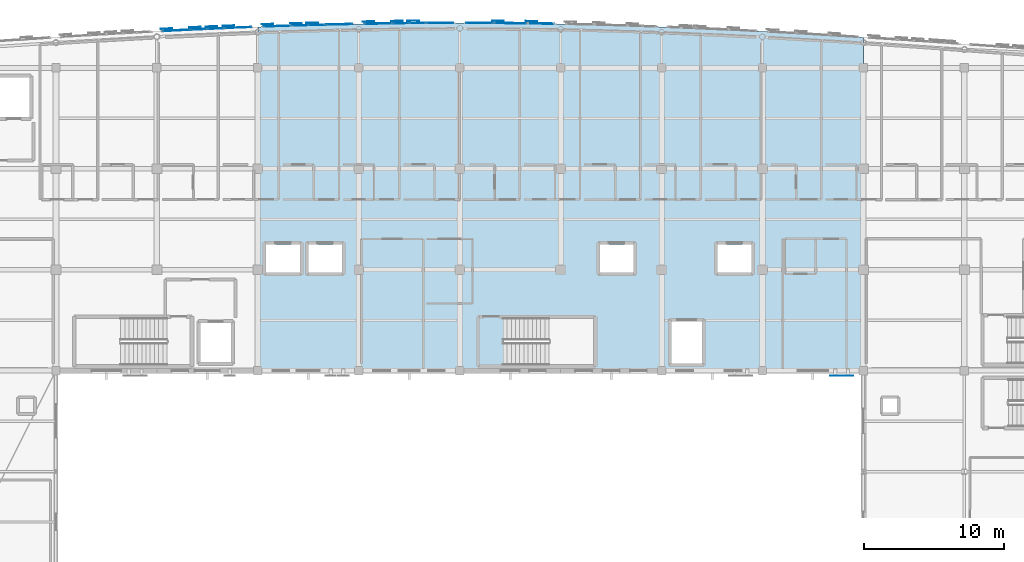
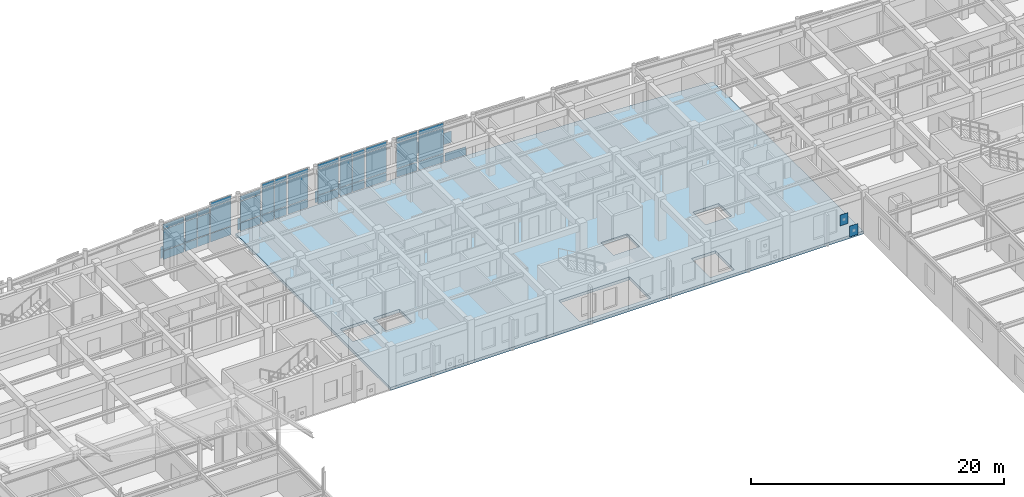
# One storey, part 73 of 113: 57 plates, 1 slab, 12 elements without a shape of their own.
"""IFC4 building model written with IfcOpenShell, lengths in metres."""

from ifc_helpers import new_model, si_unit, direction, frame, origin, origin_2d, place, context, subcontext, project, spatial, polyline, rectangle, outline, extrude, material, layer, layer_set, type_object, element, aggregate, save


model = new_model("IFC4")

# Units and contexts
model_context = context("Model", 3, precision=1e-05, world=origin(), true_north=direction((0.0, 1.0)))
body_context = subcontext(model_context, "Body", "Model", "MODEL_VIEW")
ifc_project = project(units=[si_unit("LENGTHUNIT", "METRE"), si_unit("AREAUNIT", "SQUARE_METRE"), si_unit("VOLUMEUNIT", "CUBIC_METRE"), si_unit("PLANEANGLEUNIT", "RADIAN"), si_unit("MASSUNIT", "GRAM", prefix="KILO")], contexts=[model_context])

# Site, building, storey
site_placement = place(None, origin())
site = spatial("IfcSite", under=ifc_project, at=site_placement, CompositionType="ELEMENT")
building_placement = place(site_placement, origin())
building = spatial("IfcBuilding", under=site, at=building_placement, Name="Carrowvane Square Congress Hotel", CompositionType="ELEMENT")
storey_placement = place(building_placement, frame((0.0, 0.0, 15.0)))
storey = spatial("IfcBuildingStorey", under=building, at=storey_placement, Name="L03", CompositionType="ELEMENT", Elevation=15.0)

# Curtain wall, plates
ifc_material_1 = material(Name="Anodised aluminium", Category="aluminium")
ifc_layer_1 = layer(ifc_material_1, 0.18603515625)
ifc_layer_set_1 = layer_set([ifc_layer_1], Name="Anodised aluminium")
curtain_wall_type_1 = type_object("IfcCurtainWallType", Name="CW-SYS-3", PredefinedType="NOTDEFINED", material=ifc_layer_set_1)
curtain_wall_1_placement = place(storey_placement, origin())
curtain_wall_1 = element("IfcCurtainWall", 1, at=curtain_wall_1_placement, inside=storey, type_object=curtain_wall_type_1, Name="L03 unitised curtain wall 210", PredefinedType="NOTDEFINED")
ifc_material_2 = material(Name="Double-glazed low-E glass", Category="glass")
ifc_layer_2 = layer(ifc_material_2, 0.028076171875)
ifc_layer_set_2 = layer_set([ifc_layer_2], Name="Double-glazed low-E glass")
plate_type_1 = type_object("IfcPlateType", Name="CW-PAN-1", PredefinedType="CURTAIN_PANEL", material=ifc_layer_set_2)
plate_1_placement = place(storey_placement, frame((82.200439453125, 116.267822265625, 0.06005859375), z_axis=(0.0, 0.0, 1.0), x_axis=(0.999194236464, 0.040135742379, 0.0)))
plate_1 = element("IfcPlate", 2, at=plate_1_placement, type_object=plate_type_1, Name="CW-3 panel 1.1", PredefinedType="CURTAIN_PANEL", context=body_context, shape_type="SweptSolid", body=[
    extrude(rectangle(XDim=1.8828125, YDim=0.028076171875, at=origin_2d()), origin(), (0.0, 0.0, 1.0), 0.81005859375),
])
plate_2_placement = place(storey_placement, frame((82.200439453125, 116.267822265625, 0.93017578125), z_axis=(0.0, 0.0, 1.0), x_axis=(0.999194236464, 0.040135742379, 0.0)))
plate_2 = element("IfcPlate", 3, at=plate_2_placement, type_object=plate_type_1, Name="CW-3 panel 1.2", PredefinedType="CURTAIN_PANEL", context=body_context, shape_type="SweptSolid", body=[
    extrude(rectangle(XDim=1.8828125, YDim=0.028076171875, at=origin_2d()), origin(), (0.0, 0.0, 1.0), 2.429931640625),
])
plate_3_placement = place(storey_placement, frame((82.200439453125, 116.267822265625, 3.419921875), z_axis=(0.0, 0.0, 1.0), x_axis=(0.999194236464, 0.040135742379, 0.0)))
plate_3 = element("IfcPlate", 4, at=plate_3_placement, type_object=plate_type_1, Name="CW-3 panel 1.3", PredefinedType="CURTAIN_PANEL", context=body_context, shape_type="SweptSolid", body=[
    extrude(rectangle(XDim=1.8828125, YDim=0.028076171875, at=origin_2d()), origin(), (0.0, 0.0, 1.0), 0.4599609375),
])
aggregate(curtain_wall_1, [plate_1, plate_2, plate_3])

ifc_material_3 = material(Name="Anodised aluminium", Category="aluminium")
ifc_layer_3 = layer(ifc_material_3, 0.24609375)
ifc_layer_set_3 = layer_set([ifc_layer_3], Name="Anodised aluminium")
curtain_wall_type_2 = type_object("IfcCurtainWallType", Name="CW-SYS-8", PredefinedType="NOTDEFINED", material=ifc_layer_set_3)
curtain_wall_2_placement = place(storey_placement, origin())
curtain_wall_2 = element("IfcCurtainWall", 5, at=curtain_wall_2_placement, inside=storey, type_object=curtain_wall_type_2, Name="L03 unitised curtain wall 215", PredefinedType="NOTDEFINED")
plate_4_placement = place(storey_placement, frame((93.8173828125, 116.57470703125, 0.070068359375), z_axis=(0.0, 0.0, 1.0), x_axis=(0.999952146231, 0.009782905924, 0.0)))
plate_4 = element("IfcPlate", 6, at=plate_4_placement, type_object=plate_type_1, Name="CW-8 panel 1.1", PredefinedType="CURTAIN_PANEL", context=body_context, shape_type="SweptSolid", body=[
    extrude(rectangle(XDim=1.094970703125, YDim=0.028076171875, at=origin_2d()), origin(), (0.0, 0.0, 1.0), 0.794921875),
])
plate_5_placement = place(storey_placement, frame((93.8173828125, 116.57470703125, 0.93505859375), z_axis=(0.0, 0.0, 1.0), x_axis=(0.999952146231, 0.009782905924, 0.0)))
plate_5 = element("IfcPlate", 7, at=plate_5_placement, type_object=plate_type_1, Name="CW-8 panel 1.2", PredefinedType="CURTAIN_PANEL", context=body_context, shape_type="SweptSolid", body=[
    extrude(rectangle(XDim=1.094970703125, YDim=0.028076171875, at=origin_2d()), origin(), (0.0, 0.0, 1.0), 2.419921875),
])
plate_6_placement = place(storey_placement, frame((93.8173828125, 116.57470703125, 3.4248046875), z_axis=(0.0, 0.0, 1.0), x_axis=(0.999952146231, 0.009782905924, 0.0)))
plate_6 = element("IfcPlate", 8, at=plate_6_placement, type_object=plate_type_1, Name="CW-8 panel 1.3", PredefinedType="CURTAIN_PANEL", context=body_context, shape_type="SweptSolid", body=[
    extrude(rectangle(XDim=1.094970703125, YDim=0.028076171875, at=origin_2d()), origin(), (0.0, 0.0, 1.0), 0.445068359375),
])
plate_7_placement = place(storey_placement, frame((94.982421875, 116.586181640625, 0.070068359375), z_axis=(0.0, 0.0, 1.0), x_axis=(0.999952146231, 0.009782905924, 0.0)))
plate_7 = element("IfcPlate", 9, at=plate_7_placement, type_object=plate_type_1, Name="CW-8 panel 2.1", PredefinedType="CURTAIN_PANEL", context=body_context, shape_type="SweptSolid", body=[
    extrude(rectangle(XDim=1.094970703125, YDim=0.028076171875, at=origin_2d()), origin(), (0.0, 0.0, 1.0), 0.794921875),
])
plate_8_placement = place(storey_placement, frame((94.982421875, 116.586181640625, 0.93505859375), z_axis=(0.0, 0.0, 1.0), x_axis=(0.999952146231, 0.009782905924, 0.0)))
plate_8 = element("IfcPlate", 10, at=plate_8_placement, type_object=plate_type_1, Name="CW-8 panel 2.2", PredefinedType="CURTAIN_PANEL", context=body_context, shape_type="SweptSolid", body=[
    extrude(rectangle(XDim=1.094970703125, YDim=0.028076171875, at=origin_2d()), origin(), (0.0, 0.0, 1.0), 2.419921875),
])
plate_9_placement = place(storey_placement, frame((94.982421875, 116.586181640625, 3.4248046875), z_axis=(0.0, 0.0, 1.0), x_axis=(0.999952146231, 0.009782905924, 0.0)))
plate_9 = element("IfcPlate", 11, at=plate_9_placement, type_object=plate_type_1, Name="CW-8 panel 2.3", PredefinedType="CURTAIN_PANEL", context=body_context, shape_type="SweptSolid", body=[
    extrude(rectangle(XDim=1.094970703125, YDim=0.028076171875, at=origin_2d()), origin(), (0.0, 0.0, 1.0), 0.445068359375),
])
aggregate(curtain_wall_2, [plate_4, plate_5, plate_6, plate_7, plate_8, plate_9])

ifc_material_4 = material(Name="Anodised aluminium", Category="aluminium")
ifc_layer_4 = layer(ifc_material_4, 0.197998046875)
ifc_layer_set_4 = layer_set([ifc_layer_4], Name="Anodised aluminium")
curtain_wall_type_3 = type_object("IfcCurtainWallType", Name="CW-SYS-4", PredefinedType="NOTDEFINED", material=ifc_layer_set_4)
curtain_wall_3_placement = place(storey_placement, origin())
curtain_wall_3 = element("IfcCurtainWall", 12, at=curtain_wall_3_placement, inside=storey, type_object=curtain_wall_type_3, Name="L03 unitised curtain wall 211", PredefinedType="NOTDEFINED")
ifc_material_5 = material(Name="Double-glazed low-E glass", Category="glass")
ifc_layer_5 = layer(ifc_material_5, 0.031982421875)
ifc_layer_set_5 = layer_set([ifc_layer_5], Name="Double-glazed low-E glass")
plate_type_2 = type_object("IfcPlateType", Name="CW-PAN-2", PredefinedType="CURTAIN_PANEL", material=ifc_layer_set_5)
plate_10_placement = place(storey_placement, frame((84.9853515625, 116.371826171875, 0.070068359375), z_axis=(0.0, 0.0, 1.0), x_axis=(0.999403774749, 0.034526729036, 0.0)))
plate_10 = element("IfcPlate", 13, at=plate_10_placement, type_object=plate_type_2, Name="CW-4 panel 1.1", PredefinedType="CURTAIN_PANEL", context=body_context, shape_type="SweptSolid", body=[
    extrude(rectangle(XDim=1.890625, YDim=0.031982421875, at=origin_2d()), origin(), (0.0, 0.0, 1.0), 0.794921875),
])
plate_11_placement = place(storey_placement, frame((84.9853515625, 116.371826171875, 0.93505859375), z_axis=(0.0, 0.0, 1.0), x_axis=(0.999403774749, 0.034526729036, 0.0)))
plate_11 = element("IfcPlate", 14, at=plate_11_placement, type_object=plate_type_2, Name="CW-4 panel 1.2", PredefinedType="CURTAIN_PANEL", context=body_context, shape_type="SweptSolid", body=[
    extrude(rectangle(XDim=1.890625, YDim=0.031982421875, at=origin_2d()), origin(), (0.0, 0.0, 1.0), 1.99560546875),
])
plate_12_placement = place(storey_placement, frame((84.9853515625, 116.371826171875, 3.00048828125), z_axis=(0.0, 0.0, 1.0), x_axis=(0.999403774749, 0.034526729036, 0.0)))
plate_12 = element("IfcPlate", 15, at=plate_12_placement, type_object=plate_type_2, Name="CW-4 panel 1.3", PredefinedType="CURTAIN_PANEL", context=body_context, shape_type="SweptSolid", body=[
    extrude(rectangle(XDim=1.890625, YDim=0.031982421875, at=origin_2d()), origin(), (0.0, 0.0, 1.0), 0.445068359375),
])
aggregate(curtain_wall_3, [plate_10, plate_11, plate_12])

ifc_material_6 = material(Name="Anodised aluminium", Category="aluminium")
ifc_layer_6 = layer(ifc_material_6, 0.162109375)
ifc_layer_set_6 = layer_set([ifc_layer_6], Name="Anodised aluminium")
curtain_wall_type_4 = type_object("IfcCurtainWallType", Name="CW-SYS-1", PredefinedType="NOTDEFINED", material=ifc_layer_set_6)
curtain_wall_4_placement = place(storey_placement, origin())
curtain_wall_4 = element("IfcCurtainWall", 16, at=curtain_wall_4_placement, inside=storey, type_object=curtain_wall_type_4, Name="L03 unitised curtain wall 216", PredefinedType="NOTDEFINED")
plate_13_placement = place(storey_placement, frame((96.607666015625, 116.595458984375, 0.06005859375), z_axis=(0.0, 0.0, 1.0), x_axis=(0.999994652529, 0.003270307911, 0.0)))
plate_13 = element("IfcPlate", 17, at=plate_13_placement, type_object=plate_type_2, Name="CW-1 panel 1.1", PredefinedType="CURTAIN_PANEL", context=body_context, shape_type="SweptSolid", body=[
    extrude(rectangle(XDim=1.89501953125, YDim=0.031982421875, at=origin_2d()), origin(), (0.0, 0.0, 1.0), 0.81005859375),
])
plate_14_placement = place(storey_placement, frame((96.607666015625, 116.595458984375, 0.93017578125), z_axis=(0.0, 0.0, 1.0), x_axis=(0.999994652529, 0.003270307911, 0.0)))
plate_14 = element("IfcPlate", 18, at=plate_14_placement, type_object=plate_type_2, Name="CW-1 panel 1.2", PredefinedType="CURTAIN_PANEL", context=body_context, shape_type="SweptSolid", body=[
    extrude(rectangle(XDim=1.89501953125, YDim=0.031982421875, at=origin_2d()), origin(), (0.0, 0.0, 1.0), 2.429931640625),
])
plate_15_placement = place(storey_placement, frame((96.607666015625, 116.595458984375, 3.419921875), z_axis=(0.0, 0.0, 1.0), x_axis=(0.999994652529, 0.003270307911, 0.0)))
plate_15 = element("IfcPlate", 19, at=plate_15_placement, type_object=plate_type_2, Name="CW-1 panel 1.3", PredefinedType="CURTAIN_PANEL", context=body_context, shape_type="SweptSolid", body=[
    extrude(rectangle(XDim=1.89501953125, YDim=0.031982421875, at=origin_2d()), origin(), (0.0, 0.0, 1.0), 0.4599609375),
])
aggregate(curtain_wall_4, [plate_13, plate_14, plate_15])

ifc_material_7 = material(Name="Anodised aluminium", Category="aluminium")
ifc_layer_7 = layer(ifc_material_7, 0.2099609375)
ifc_layer_set_7 = layer_set([ifc_layer_7], Name="Anodised aluminium")
curtain_wall_type_5 = type_object("IfcCurtainWallType", Name="CW-SYS-5", PredefinedType="NOTDEFINED", material=ifc_layer_set_7)
curtain_wall_5_placement = place(storey_placement, origin())
curtain_wall_5 = element("IfcCurtainWall", 20, at=curtain_wall_5_placement, inside=storey, type_object=curtain_wall_type_5, Name="L03 unitised curtain wall 212", PredefinedType="NOTDEFINED")
ifc_material_8 = material(Name="Double-glazed low-E glass", Category="glass")
ifc_layer_8 = layer(ifc_material_8, 0.035888671875)
ifc_layer_set_8 = layer_set([ifc_layer_8], Name="Double-glazed low-E glass")
plate_type_3 = type_object("IfcPlateType", Name="CW-PAN-3", PredefinedType="CURTAIN_PANEL", material=ifc_layer_set_8)
plate_16_placement = place(storey_placement, frame((86.614990234375, 116.424560546875, 0.06005859375), z_axis=(0.0, 0.0, 1.0), x_axis=(0.999589848065, 0.028638010501, 0.0)))
plate_16 = element("IfcPlate", 21, at=plate_16_placement, type_object=plate_type_3, Name="CW-5 panel 1.1", PredefinedType="CURTAIN_PANEL", context=body_context, shape_type="SweptSolid", body=[
    extrude(rectangle(XDim=1.110595703125, YDim=0.035888671875, at=origin_2d()), origin(), (0.0, 0.0, 1.0), 0.81005859375),
])
plate_17_placement = place(storey_placement, frame((86.614990234375, 116.424560546875, 0.93017578125), z_axis=(0.0, 0.0, 1.0), x_axis=(0.999589848065, 0.028638010501, 0.0)))
plate_17 = element("IfcPlate", 22, at=plate_17_placement, type_object=plate_type_3, Name="CW-5 panel 1.2", PredefinedType="CURTAIN_PANEL", context=body_context, shape_type="SweptSolid", body=[
    extrude(rectangle(XDim=1.110595703125, YDim=0.035888671875, at=origin_2d()), origin(), (0.0, 0.0, 1.0), 2.429931640625),
])
plate_18_placement = place(storey_placement, frame((86.614990234375, 116.424560546875, 3.419921875), z_axis=(0.0, 0.0, 1.0), x_axis=(0.999589848065, 0.028638010501, 0.0)))
plate_18 = element("IfcPlate", 23, at=plate_18_placement, type_object=plate_type_3, Name="CW-5 panel 1.3", PredefinedType="CURTAIN_PANEL", context=body_context, shape_type="SweptSolid", body=[
    extrude(rectangle(XDim=1.110595703125, YDim=0.035888671875, at=origin_2d()), origin(), (0.0, 0.0, 1.0), 0.4599609375),
])
plate_19_placement = place(storey_placement, frame((87.784912109375, 116.4580078125, 0.06005859375), z_axis=(0.0, 0.0, 1.0), x_axis=(0.999589848065, 0.028638010501, 0.0)))
plate_19 = element("IfcPlate", 24, at=plate_19_placement, type_object=plate_type_3, Name="CW-5 panel 2.1", PredefinedType="CURTAIN_PANEL", context=body_context, shape_type="SweptSolid", body=[
    extrude(rectangle(XDim=1.110595703125, YDim=0.035888671875, at=origin_2d()), origin(), (0.0, 0.0, 1.0), 0.81005859375),
])
plate_20_placement = place(storey_placement, frame((87.784912109375, 116.4580078125, 0.93017578125), z_axis=(0.0, 0.0, 1.0), x_axis=(0.999589848065, 0.028638010501, 0.0)))
plate_20 = element("IfcPlate", 25, at=plate_20_placement, type_object=plate_type_3, Name="CW-5 panel 2.2", PredefinedType="CURTAIN_PANEL", context=body_context, shape_type="SweptSolid", body=[
    extrude(rectangle(XDim=1.110595703125, YDim=0.035888671875, at=origin_2d()), origin(), (0.0, 0.0, 1.0), 2.429931640625),
])
plate_21_placement = place(storey_placement, frame((87.784912109375, 116.4580078125, 3.419921875), z_axis=(0.0, 0.0, 1.0), x_axis=(0.999589848065, 0.028638010501, 0.0)))
plate_21 = element("IfcPlate", 26, at=plate_21_placement, type_object=plate_type_3, Name="CW-5 panel 2.3", PredefinedType="CURTAIN_PANEL", context=body_context, shape_type="SweptSolid", body=[
    extrude(rectangle(XDim=1.110595703125, YDim=0.035888671875, at=origin_2d()), origin(), (0.0, 0.0, 1.0), 0.4599609375),
])
aggregate(curtain_wall_5, [plate_16, plate_17, plate_18, plate_19, plate_20, plate_21])

ifc_material_9 = material(Name="Anodised aluminium", Category="aluminium")
ifc_layer_9 = layer(ifc_material_9, 0.174072265625)
ifc_layer_set_9 = layer_set([ifc_layer_9], Name="Anodised aluminium")
curtain_wall_type_6 = type_object("IfcCurtainWallType", Name="CW-SYS-2", PredefinedType="NOTDEFINED", material=ifc_layer_set_9)
curtain_wall_6_placement = place(storey_placement, origin())
curtain_wall_6 = element("IfcCurtainWall", 27, at=curtain_wall_6_placement, inside=storey, type_object=curtain_wall_type_6, Name="L03 unitised curtain wall 217", PredefinedType="NOTDEFINED")
plate_22_placement = place(storey_placement, frame((99.392333984375, 116.595458984375, 0.070068359375), z_axis=(0.0, 0.0, 1.0), x_axis=(0.999994652529, -0.003270307911, 0.0)))
plate_22 = element("IfcPlate", 28, at=plate_22_placement, type_object=plate_type_3, Name="CW-2 panel 1.1", PredefinedType="CURTAIN_PANEL", context=body_context, shape_type="SweptSolid", body=[
    extrude(rectangle(XDim=1.875, YDim=0.035888671875, at=origin_2d()), origin(), (0.0, 0.0, 1.0), 0.794921875),
])
plate_23_placement = place(storey_placement, frame((99.392333984375, 116.595458984375, 0.93505859375), z_axis=(0.0, 0.0, 1.0), x_axis=(0.999994652529, -0.003270307911, 0.0)))
plate_23 = element("IfcPlate", 29, at=plate_23_placement, type_object=plate_type_3, Name="CW-2 panel 1.2", PredefinedType="CURTAIN_PANEL", context=body_context, shape_type="SweptSolid", body=[
    extrude(rectangle(XDim=1.875, YDim=0.035888671875, at=origin_2d()), origin(), (0.0, 0.0, 1.0), 2.419921875),
])
plate_24_placement = place(storey_placement, frame((99.392333984375, 116.595458984375, 3.4248046875), z_axis=(0.0, 0.0, 1.0), x_axis=(0.999994652529, -0.003270307911, 0.0)))
plate_24 = element("IfcPlate", 30, at=plate_24_placement, type_object=plate_type_3, Name="CW-2 panel 1.3", PredefinedType="CURTAIN_PANEL", context=body_context, shape_type="SweptSolid", body=[
    extrude(rectangle(XDim=1.875, YDim=0.035888671875, at=origin_2d()), origin(), (0.0, 0.0, 1.0), 0.445068359375),
])
aggregate(curtain_wall_6, [plate_22, plate_23, plate_24])

curtain_wall_7_placement = place(storey_placement, origin())
curtain_wall_7 = element("IfcCurtainWall", 31, at=curtain_wall_7_placement, inside=storey, type_object=curtain_wall_type_4, Name="L03 unitised curtain wall 208", PredefinedType="NOTDEFINED")
ifc_material_10 = material(Name="Double-glazed low-E glass", Category="glass")
ifc_layer_10 = layer(ifc_material_10, 0.0419921875)
ifc_layer_set_10 = layer_set([ifc_layer_10], Name="Double-glazed low-E glass")
plate_type_4 = type_object("IfcPlateType", Name="CW-PAN-4", PredefinedType="CURTAIN_PANEL", material=ifc_layer_set_10)
plate_25_placement = place(storey_placement, frame((77.7822265625, 116.067138671875, 0.06005859375), z_axis=(0.0, 0.0, 1.0), x_axis=(0.998732955299, 0.050323791596, 0.0)))
plate_25 = element("IfcPlate", 32, at=plate_25_placement, type_object=plate_type_4, Name="CW-1 panel 1.1", PredefinedType="CURTAIN_PANEL", context=body_context, shape_type="SweptSolid", body=[
    extrude(rectangle(XDim=1.91796875, YDim=0.0419921875, at=origin_2d()), origin(), (0.0, 0.0, 1.0), 0.81005859375),
])
plate_26_placement = place(storey_placement, frame((77.7822265625, 116.067138671875, 0.93017578125), z_axis=(0.0, 0.0, 1.0), x_axis=(0.998732955299, 0.050323791596, 0.0)))
plate_26 = element("IfcPlate", 33, at=plate_26_placement, type_object=plate_type_4, Name="CW-1 panel 1.2", PredefinedType="CURTAIN_PANEL", context=body_context, shape_type="SweptSolid", body=[
    extrude(rectangle(XDim=1.91796875, YDim=0.0419921875, at=origin_2d()), origin(), (0.0, 0.0, 1.0), 2.005615234375),
])
plate_27_placement = place(storey_placement, frame((77.7822265625, 116.067138671875, 2.99560546875), z_axis=(0.0, 0.0, 1.0), x_axis=(0.998732955299, 0.050323791596, 0.0)))
plate_27 = element("IfcPlate", 34, at=plate_27_placement, type_object=plate_type_4, Name="CW-1 panel 1.3", PredefinedType="CURTAIN_PANEL", context=body_context, shape_type="SweptSolid", body=[
    extrude(rectangle(XDim=1.91796875, YDim=0.0419921875, at=origin_2d()), origin(), (0.0, 0.0, 1.0), 0.4599609375),
])
aggregate(curtain_wall_7, [plate_25, plate_26, plate_27])

ifc_material_11 = material(Name="Anodised aluminium", Category="aluminium")
ifc_layer_11 = layer(ifc_material_11, 0.221923828125)
ifc_layer_set_11 = layer_set([ifc_layer_11], Name="Anodised aluminium")
curtain_wall_type_7 = type_object("IfcCurtainWallType", Name="CW-SYS-6", PredefinedType="NOTDEFINED", material=ifc_layer_set_11)
curtain_wall_8_placement = place(storey_placement, origin())
curtain_wall_8 = element("IfcCurtainWall", 35, at=curtain_wall_8_placement, inside=storey, type_object=curtain_wall_type_7, Name="L03 unitised curtain wall 213", PredefinedType="NOTDEFINED")
plate_28_placement = place(storey_placement, frame((89.40380859375, 116.498291015625, 0.070068359375), z_axis=(0.0, 0.0, 1.0), x_axis=(0.99974644475, 0.022517686606, 0.0)))
plate_28 = element("IfcPlate", 36, at=plate_28_placement, type_object=plate_type_4, Name="CW-6 panel 1.1", PredefinedType="CURTAIN_PANEL", context=body_context, shape_type="SweptSolid", body=[
    extrude(rectangle(XDim=1.8681640625, YDim=0.0419921875, at=origin_2d()), origin(), (0.0, 0.0, 1.0), 0.794921875),
])
plate_29_placement = place(storey_placement, frame((89.40380859375, 116.498291015625, 0.93505859375), z_axis=(0.0, 0.0, 1.0), x_axis=(0.99974644475, 0.022517686606, 0.0)))
plate_29 = element("IfcPlate", 37, at=plate_29_placement, type_object=plate_type_4, Name="CW-6 panel 1.2", PredefinedType="CURTAIN_PANEL", context=body_context, shape_type="SweptSolid", body=[
    extrude(rectangle(XDim=1.8681640625, YDim=0.0419921875, at=origin_2d()), origin(), (0.0, 0.0, 1.0), 2.419921875),
])
plate_30_placement = place(storey_placement, frame((89.40380859375, 116.498291015625, 3.4248046875), z_axis=(0.0, 0.0, 1.0), x_axis=(0.99974644475, 0.022517686606, 0.0)))
plate_30 = element("IfcPlate", 38, at=plate_30_placement, type_object=plate_type_4, Name="CW-6 panel 1.3", PredefinedType="CURTAIN_PANEL", context=body_context, shape_type="SweptSolid", body=[
    extrude(rectangle(XDim=1.8681640625, YDim=0.0419921875, at=origin_2d()), origin(), (0.0, 0.0, 1.0), 0.445068359375),
])
aggregate(curtain_wall_8, [plate_28, plate_29, plate_30])

curtain_wall_9_placement = place(storey_placement, origin())
curtain_wall_9 = element("IfcCurtainWall", 39, at=curtain_wall_9_placement, inside=storey, type_object=curtain_wall_type_1, Name="L03 unitised curtain wall 218", PredefinedType="NOTDEFINED")
plate_31_placement = place(storey_placement, frame((101.60009765625, 116.580322265625, 0.06005859375), z_axis=(0.0, 0.0, 1.0), x_axis=(0.999952146231, -0.009782905924, 0.0)))
plate_31 = element("IfcPlate", 40, at=plate_31_placement, type_object=plate_type_4, Name="CW-3 panel 1.1", PredefinedType="CURTAIN_PANEL", context=body_context, shape_type="SweptSolid", body=[
    extrude(rectangle(XDim=2.280029296875, YDim=0.0419921875, at=origin_2d()), origin(), (0.0, 0.0, 1.0), 0.81005859375),
])
plate_32_placement = place(storey_placement, frame((101.60009765625, 116.580322265625, 0.93017578125), z_axis=(0.0, 0.0, 1.0), x_axis=(0.999952146231, -0.009782905924, 0.0)))
plate_32 = element("IfcPlate", 41, at=plate_32_placement, type_object=plate_type_4, Name="CW-3 panel 1.2", PredefinedType="CURTAIN_PANEL", context=body_context, shape_type="SweptSolid", body=[
    extrude(rectangle(XDim=2.280029296875, YDim=0.0419921875, at=origin_2d()), origin(), (0.0, 0.0, 1.0), 2.429931640625),
])
plate_33_placement = place(storey_placement, frame((101.60009765625, 116.580322265625, 3.419921875), z_axis=(0.0, 0.0, 1.0), x_axis=(0.999952146231, -0.009782905924, 0.0)))
plate_33 = element("IfcPlate", 42, at=plate_33_placement, type_object=plate_type_4, Name="CW-3 panel 1.3", PredefinedType="CURTAIN_PANEL", context=body_context, shape_type="SweptSolid", body=[
    extrude(rectangle(XDim=2.280029296875, YDim=0.0419921875, at=origin_2d()), origin(), (0.0, 0.0, 1.0), 0.4599609375),
])
aggregate(curtain_wall_9, [plate_31, plate_32, plate_33])

curtain_wall_10_placement = place(storey_placement, origin())
curtain_wall_10 = element("IfcCurtainWall", 43, at=curtain_wall_10_placement, inside=storey, type_object=curtain_wall_type_6, Name="L03 unitised curtain wall 209", PredefinedType="NOTDEFINED")
ifc_material_12 = material(Name="Double-glazed low-E glass", Category="glass")
ifc_layer_12 = layer(ifc_material_12, 0.048095703125)
ifc_layer_set_12 = layer_set([ifc_layer_12], Name="Double-glazed low-E glass")
plate_type_5 = type_object("IfcPlateType", Name="CW-PAN-5", PredefinedType="CURTAIN_PANEL", material=ifc_layer_set_12)
plate_34_placement = place(storey_placement, frame((79.41748046875, 116.146484375, 0.070068359375), z_axis=(0.0, 0.0, 1.0), x_axis=(0.998968385726, 0.045411059449, 0.0)))
plate_34 = element("IfcPlate", 44, at=plate_34_placement, type_object=plate_type_5, Name="CW-2 panel 1.1", PredefinedType="CURTAIN_PANEL", context=body_context, shape_type="SweptSolid", body=[
    extrude(rectangle(XDim=1.09619140625, YDim=0.048095703125, at=origin_2d()), origin(), (0.0, 0.0, 1.0), 0.794921875),
])
plate_35_placement = place(storey_placement, frame((79.41748046875, 116.146484375, 0.93505859375), z_axis=(0.0, 0.0, 1.0), x_axis=(0.998968385726, 0.045411059449, 0.0)))
plate_35 = element("IfcPlate", 45, at=plate_35_placement, type_object=plate_type_5, Name="CW-2 panel 1.2", PredefinedType="CURTAIN_PANEL", context=body_context, shape_type="SweptSolid", body=[
    extrude(rectangle(XDim=1.09619140625, YDim=0.048095703125, at=origin_2d()), origin(), (0.0, 0.0, 1.0), 1.99560546875),
])
plate_36_placement = place(storey_placement, frame((79.41748046875, 116.146484375, 3.00048828125), z_axis=(0.0, 0.0, 1.0), x_axis=(0.998968385726, 0.045411059449, 0.0)))
plate_36 = element("IfcPlate", 46, at=plate_36_placement, type_object=plate_type_5, Name="CW-2 panel 1.3", PredefinedType="CURTAIN_PANEL", context=body_context, shape_type="SweptSolid", body=[
    extrude(rectangle(XDim=1.09619140625, YDim=0.048095703125, at=origin_2d()), origin(), (0.0, 0.0, 1.0), 0.445068359375),
])
plate_37_placement = place(storey_placement, frame((80.58251953125, 116.199462890625, 0.070068359375), z_axis=(0.0, 0.0, 1.0), x_axis=(0.998968385726, 0.045411059449, 0.0)))
plate_37 = element("IfcPlate", 47, at=plate_37_placement, type_object=plate_type_5, Name="CW-2 panel 2.1", PredefinedType="CURTAIN_PANEL", context=body_context, shape_type="SweptSolid", body=[
    extrude(rectangle(XDim=1.09619140625, YDim=0.048095703125, at=origin_2d()), origin(), (0.0, 0.0, 1.0), 0.794921875),
])
plate_38_placement = place(storey_placement, frame((80.58251953125, 116.199462890625, 0.93505859375), z_axis=(0.0, 0.0, 1.0), x_axis=(0.998968385726, 0.045411059449, 0.0)))
plate_38 = element("IfcPlate", 48, at=plate_38_placement, type_object=plate_type_5, Name="CW-2 panel 2.2", PredefinedType="CURTAIN_PANEL", context=body_context, shape_type="SweptSolid", body=[
    extrude(rectangle(XDim=1.09619140625, YDim=0.048095703125, at=origin_2d()), origin(), (0.0, 0.0, 1.0), 1.99560546875),
])
plate_39_placement = place(storey_placement, frame((80.58251953125, 116.199462890625, 3.00048828125), z_axis=(0.0, 0.0, 1.0), x_axis=(0.998968385726, 0.045411059449, 0.0)))
plate_39 = element("IfcPlate", 49, at=plate_39_placement, type_object=plate_type_5, Name="CW-2 panel 2.3", PredefinedType="CURTAIN_PANEL", context=body_context, shape_type="SweptSolid", body=[
    extrude(rectangle(XDim=1.09619140625, YDim=0.048095703125, at=origin_2d()), origin(), (0.0, 0.0, 1.0), 0.445068359375),
])
aggregate(curtain_wall_10, [plate_34, plate_35, plate_36, plate_37, plate_38, plate_39])

ifc_material_13 = material(Name="Anodised aluminium", Category="aluminium")
ifc_layer_13 = layer(ifc_material_13, 0.23388671875)
ifc_layer_set_13 = layer_set([ifc_layer_13], Name="Anodised aluminium")
curtain_wall_type_8 = type_object("IfcCurtainWallType", Name="CW-SYS-7", PredefinedType="NOTDEFINED", material=ifc_layer_set_13)
curtain_wall_11_placement = place(storey_placement, origin())
curtain_wall_11 = element("IfcCurtainWall", 50, at=curtain_wall_11_placement, inside=storey, type_object=curtain_wall_type_8, Name="L03 unitised curtain wall 214", PredefinedType="NOTDEFINED")
plate_40_placement = place(storey_placement, frame((92.188720703125, 116.55224609375, 0.06005859375), z_axis=(0.0, 0.0, 1.0), x_axis=(0.99986851233, 0.016215981364, 0.0)))
plate_40 = element("IfcPlate", 51, at=plate_40_placement, type_object=plate_type_5, Name="CW-7 panel 1.1", PredefinedType="CURTAIN_PANEL", context=body_context, shape_type="SweptSolid", body=[
    extrude(rectangle(XDim=1.902587890625, YDim=0.048095703125, at=origin_2d()), origin(), (0.0, 0.0, 1.0), 0.81005859375),
])
plate_41_placement = place(storey_placement, frame((92.188720703125, 116.55224609375, 0.93017578125), z_axis=(0.0, 0.0, 1.0), x_axis=(0.99986851233, 0.016215981364, 0.0)))
plate_41 = element("IfcPlate", 52, at=plate_41_placement, type_object=plate_type_5, Name="CW-7 panel 1.2", PredefinedType="CURTAIN_PANEL", context=body_context, shape_type="SweptSolid", body=[
    extrude(rectangle(XDim=1.902587890625, YDim=0.048095703125, at=origin_2d()), origin(), (0.0, 0.0, 1.0), 2.429931640625),
])
plate_42_placement = place(storey_placement, frame((92.188720703125, 116.55224609375, 3.419921875), z_axis=(0.0, 0.0, 1.0), x_axis=(0.99986851233, 0.016215981364, 0.0)))
plate_42 = element("IfcPlate", 53, at=plate_42_placement, type_object=plate_type_5, Name="CW-7 panel 1.3", PredefinedType="CURTAIN_PANEL", context=body_context, shape_type="SweptSolid", body=[
    extrude(rectangle(XDim=1.902587890625, YDim=0.048095703125, at=origin_2d()), origin(), (0.0, 0.0, 1.0), 0.4599609375),
])
aggregate(curtain_wall_11, [plate_40, plate_41, plate_42])

# Curtain wall, plate
curtain_wall_12_placement = place(storey_placement, origin())
curtain_wall_12 = element("IfcCurtainWall", 54, at=curtain_wall_12_placement, inside=storey, type_object=curtain_wall_type_3, Name="L03 unitised curtain wall 219", PredefinedType="NOTDEFINED")
plate_43_placement = place(storey_placement, frame((103.811279296875, 116.55224609375, 0.070068359375), z_axis=(0.0, 0.0, 1.0), x_axis=(0.99986851233, -0.016215981364, 0.0)))
plate_43 = element("IfcPlate", 55, at=plate_43_placement, type_object=plate_type_5, Name="CW-4 panel 1.1", PredefinedType="CURTAIN_PANEL", context=body_context, shape_type="SweptSolid", body=[
    extrude(rectangle(XDim=1.8828125, YDim=0.048095703125, at=origin_2d()), origin(), (0.0, 0.0, 1.0), 0.794921875),
])
aggregate(curtain_wall_12, [plate_43])

# Plates
ifc_material_14 = material(Name="Champagne-gold anodised aluminium", Category="aluminium")
ifc_layer_14 = layer(ifc_material_14, 0.011962890625)
ifc_layer_set_14 = layer_set([ifc_layer_14], Name="Champagne-gold anodised aluminium")
plate_type_6 = type_object("IfcPlateType", Name="PLT-PIX-GOLD12", PredefinedType="SHEET", material=ifc_layer_set_14)
for number, where, z_axis, x_axis, name in (
    (56, (79.116943359375, 116.299072265625, 0.119873046875), (0.0, 0.0, 1.0), (0.998968255262, 0.045413929349, 0.0), "Champagne-gold pixel screen plate 228"),
    (57, (80.281982421875, 116.35205078125, 1.58984375), (0.0, 0.0, 1.0), (0.998968255262, 0.045413929349, 0.0), "Champagne-gold pixel screen plate 229"),
    (58, (84.28955078125, 116.513916015625, 0.119873046875), (0.0, 0.0, 1.0), (0.999403768784, 0.034526901703, 0.0), "Champagne-gold pixel screen plate 231"),
    (59, (93.523193359375, 116.73779296875, 0.119873046875), (0.0, 0.0, 1.0), (0.999952150705, 0.009782448565, 0.0), "Champagne-gold pixel screen plate 235"),
    (60, (94.688232421875, 116.749267578125, 0.119873046875), (0.0, 0.0, 1.0), (0.999952150705, 0.009782448565, 0.0), "Champagne-gold pixel screen plate 236"),
    (61, (103.12744140625, 116.7294921875, 1.58984375), (0.0, 0.0, 1.0), (0.999868508772, -0.016216200758, 0.0), "Champagne-gold pixel screen plate 238"),
):
    element("IfcPlate", number, at=place(storey_placement, frame(where, z_axis=z_axis, x_axis=x_axis)), inside=storey, type_object=plate_type_6, Name=name, PredefinedType="SHEET", context=body_context, shape_type="SweptSolid", body=[
        extrude(rectangle(XDim=0.827880859375, YDim=0.011962890625, at=origin_2d()), origin(), (0.0, 0.0, 1.0), 1.1201171875),
    ])
for number, where, z_axis, x_axis, name in (
    (62, (125.699951171875, 91.43408203125, 0.15478515625), (0.0, 0.0, 1.0), (-1.0, 0.0, 0.0), "Champagne-gold pixel screen plate S-280"),
    (63, (124.800048828125, 91.43408203125, 1.52490234375), (0.0, 0.0, 1.0), (-1.0, 0.0, 0.0), "Champagne-gold pixel screen plate S-281"),
):
    element("IfcPlate", number, at=place(storey_placement, frame(where, z_axis=z_axis, x_axis=x_axis)), inside=storey, type_object=plate_type_6, Name=name, PredefinedType="SHEET", context=body_context, shape_type="SweptSolid", body=[
        extrude(rectangle(XDim=0.738037109375, YDim=0.011962890625, at=origin_2d()), origin(), (0.0, 0.0, 1.0), 1.050048828125),
    ])
ifc_material_15 = material(Name="Champagne-gold anodised aluminium", Category="aluminium")
ifc_layer_15 = layer(ifc_material_15, 0.008056640625)
ifc_layer_set_15 = layer_set([ifc_layer_15], Name="Champagne-gold anodised aluminium")
plate_type_7 = type_object("IfcPlateType", Name="PLT-PIX-GOLD8", PredefinedType="SHEET", material=ifc_layer_set_15)
for number, where, z_axis, x_axis, name in (
    (64, (77.07568359375, 116.19580078125, 0.119873046875), (0.0, 0.0, 1.0), (0.998733066647, 0.050321581706, 0.0), "Champagne-gold pixel screen plate 227"),
    (65, (81.512939453125, 116.404296875, 1.58984375), (0.0, 0.0, 1.0), (0.999194294234, 0.040134304148, 0.0), "Champagne-gold pixel screen plate 230"),
    (66, (86.31494140625, 116.580078125, 0.119873046875), (0.0, 0.0, 1.0), (0.999589805464, 0.028639497417, 0.0), "Champagne-gold pixel screen plate 232"),
    (67, (87.485107421875, 116.613525390625, 0.119873046875), (0.0, 0.0, 1.0), (0.999589805464, 0.028639497417, 0.0), "Champagne-gold pixel screen plate 233"),
    (68, (91.49462890625, 116.705078125, 0.119873046875), (0.0, 0.0, 1.0), (0.999868508772, 0.016216200758, 0.0), "Champagne-gold pixel screen plate 234"),
    (69, (100.721435546875, 116.7529296875, 1.58984375), (0.0, 0.0, 1.0), (0.999952150705, -0.009782448565, 0.0), "Champagne-gold pixel screen plate 237"),
):
    element("IfcPlate", number, at=place(storey_placement, frame(where, z_axis=z_axis, x_axis=x_axis)), inside=storey, type_object=plate_type_7, Name=name, PredefinedType="SHEET", context=body_context, shape_type="SweptSolid", body=[
        extrude(rectangle(XDim=0.827880859375, YDim=0.008056640625, at=origin_2d()), origin(), (0.0, 0.0, 1.0), 1.1201171875),
    ])

# Slab
ifc_material_16 = material(Name="Concrete C35/45", Category="concrete")
ifc_layer_16 = layer(ifc_material_16, 0.280029296875)
ifc_layer_set_16 = layer_set([ifc_layer_16], Name="Concrete C35/45")
slab_type = type_object("IfcSlabType", Name="SLB-FLR-280", PredefinedType="FLOOR", material=ifc_layer_set_16)
slab_placement = place(storey_placement, frame((0.0, 0.0, -0.280029296875)))
element("IfcSlab", 70, at=slab_placement, inside=storey, type_object=slab_type, Name="L03 Hotel Wing slab panel 2", PredefinedType="FLOOR", context=body_context, shape_type="SweptSolid", body=[
    extrude(outline(polyline([(83.60009765625, 91.800048828125), (126.800048828125, 91.800048828125), (126.800048828125, 115.57421875), (124.39990234375, 115.724365234375), (122.0, 115.86572265625), (119.60009765625, 115.99755859375), (117.199951171875, 116.118408203125), (114.800048828125, 116.2275390625), (112.39990234375, 116.323974609375), (110.0, 116.406982421875), (107.60009765625, 116.4755859375), (105.199951171875, 116.52978515625), (102.800048828125, 116.568603515625), (100.39990234375, 116.592041015625), (98.0, 116.60009765625), (95.60009765625, 116.592041015625), (93.199951171875, 116.568603515625), (90.800048828125, 116.52978515625), (88.39990234375, 116.4755859375), (86.0, 116.406982421875), (83.60009765625, 116.323974609375), (83.60009765625, 91.800048828125)]), holes=[polyline([(101.1201171875, 92.199951171875), (107.60009765625, 92.199951171875), (107.60009765625, 95.56005859375), (101.1201171875, 95.56005859375), (101.1201171875, 92.199951171875)]), polyline([(84.199951171875, 98.800048828125), (86.60009765625, 98.800048828125), (86.60009765625, 100.800048828125), (84.199951171875, 100.800048828125), (84.199951171875, 98.800048828125)]), polyline([(87.199951171875, 98.800048828125), (89.60009765625, 98.800048828125), (89.60009765625, 100.800048828125), (87.199951171875, 100.800048828125), (87.199951171875, 98.800048828125)]), polyline([(108.0, 98.800048828125), (110.39990234375, 98.800048828125), (110.39990234375, 100.800048828125), (108.0, 100.800048828125), (108.0, 98.800048828125)]), polyline([(116.39990234375, 98.800048828125), (118.800048828125, 98.800048828125), (118.800048828125, 100.800048828125), (116.39990234375, 100.800048828125), (116.39990234375, 98.800048828125)]), polyline([(113.10009765625, 92.300048828125), (115.300048828125, 92.300048828125), (115.300048828125, 95.300048828125), (113.10009765625, 95.300048828125), (113.10009765625, 92.300048828125)])]), origin(), (0.0, 0.0, 1.0), 0.280029296875),
])

save(model, "model.ifc")
